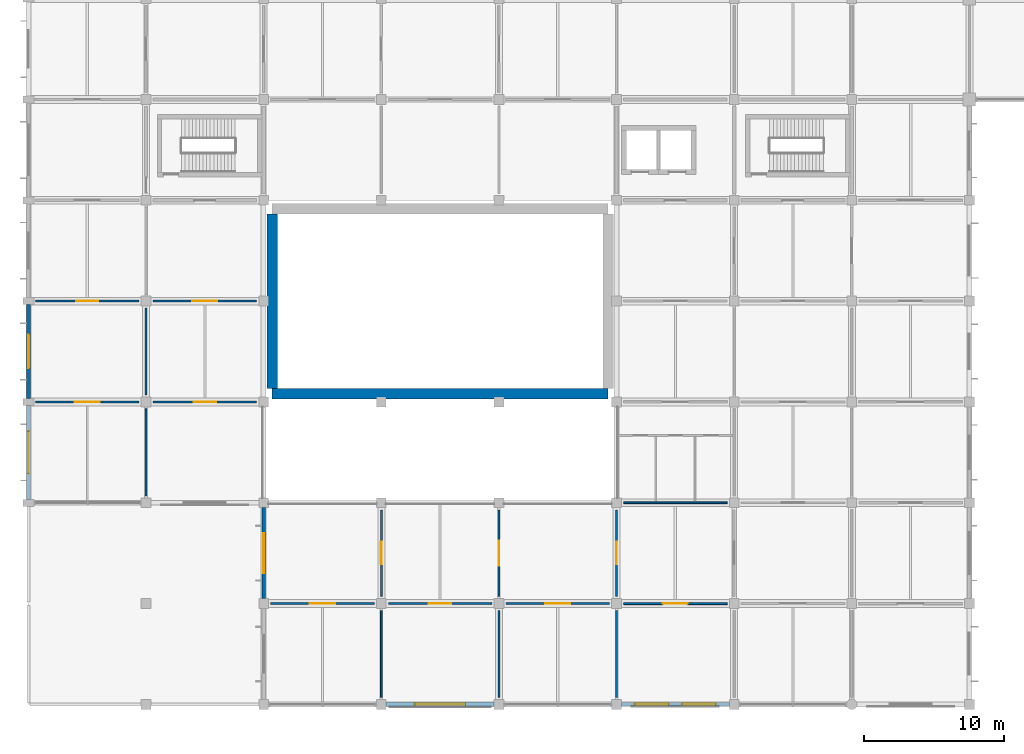
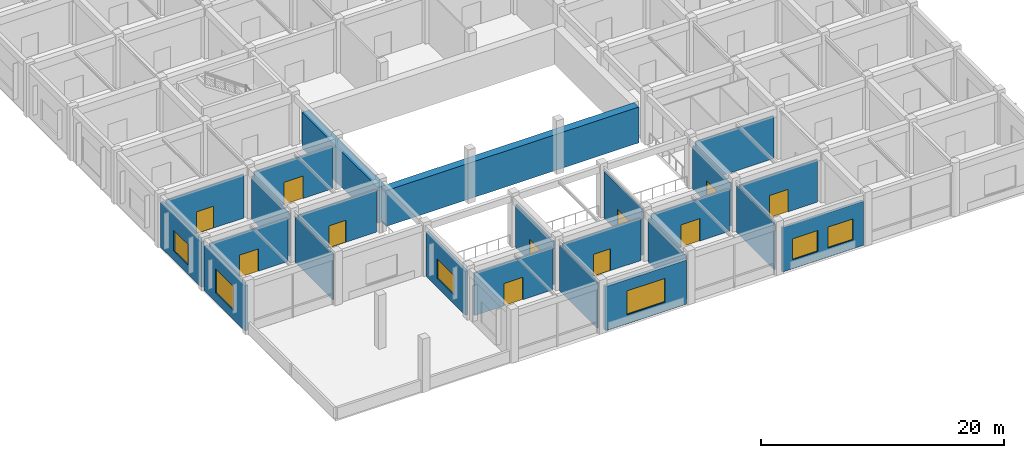
# One storey, part 18 of 41: 24 walls, 11 doors, 6 windows, 17 openings.
"""IFC4 building model written with IfcOpenShell, lengths in metres."""

from ifc_helpers import new_model, si_unit, derived_unit, direction, frame, frame_2d, origin, place, context, subcontext, project, spatial, rectangle, extrude, material, layer, layer_set, type_object, element, fill, save


model = new_model("IFC4")

# Units and contexts
model_context = context("Model", 3, precision=1e-05, world=origin(), true_north=direction((0.0, 1.0)))
body_context = subcontext(model_context, "Body", "Model", "MODEL_VIEW")
ifc_project = project(units=[si_unit("LENGTHUNIT", "METRE"), si_unit("AREAUNIT", "SQUARE_METRE"), si_unit("VOLUMEUNIT", "CUBIC_METRE"), si_unit("PLANEANGLEUNIT", "RADIAN"), si_unit("MASSUNIT", "GRAM", prefix="KILO"), derived_unit("THERMALTRANSMITTANCEUNIT", [(si_unit("MASSUNIT", "GRAM", prefix="KILO"), 1), (si_unit("TIMEUNIT", "SECOND"), -3), (si_unit("THERMODYNAMICTEMPERATUREUNIT", "KELVIN"), -1)])], contexts=[model_context])

# Site, building, storey
site_placement = place(None, origin())
site = spatial("IfcSite", under=ifc_project, at=site_placement, CompositionType="ELEMENT")
building_placement = place(site_placement, origin())
building = spatial("IfcBuilding", under=site, at=building_placement, Name="Veldstrom Oceanarium and Marine Research Institute", CompositionType="ELEMENT")
storey_placement = place(building_placement, frame((0.0, 0.0, 6.0)))
storey = spatial("IfcBuildingStorey", under=building, at=storey_placement, Name="L01", CompositionType="ELEMENT", Elevation=6.0)

# Wall, opening, window
ifc_material_1 = material(Name="Masonry Cavity Wall", Category="masonry")
ifc_layer_1 = layer(ifc_material_1, 0.31005859375)
ifc_layer_set_1 = layer_set([ifc_layer_1], Name="ARC-WAL-EW1")
wall_type_1 = type_object("IfcWallType", Name="ARC-WAL-EW1", PredefinedType="SOLIDWALL", material=ifc_layer_set_1)
wall_1_placement = place(storey_placement, frame((25.550048828125, 0.0, 0.0), z_axis=(0.0, 0.0, 1.0), x_axis=(1.0, 0.0, 0.0)))
wall_1 = element("IfcWall", 1, at=wall_1_placement, inside=storey, type_object=wall_type_1, Name="Exterior Facade Wall EW1 L01-077", PredefinedType="SOLIDWALL", context=body_context, shape_type="SweptSolid", body=[
    extrude(rectangle(XDim=7.699951171875, YDim=0.31005859375, at=frame_2d((3.85009765625, 0.0))), origin(), (0.0, 0.0, 1.0), 4.419921875),
])
opening_1_placement = place(wall_1_placement, frame((2.050048828125, 0.0, 0.89990234375)))
opening_1 = element("IfcOpeningElement", 2, at=opening_1_placement, cuts=wall_1, Name="Opening W11", PredefinedType="OPENING", context=body_context, shape_type="SweptSolid", body=[
    extrude(rectangle(XDim=3.60009765625, YDim=2.39990234375, at=frame_2d((1.800048828125, 1.199951171875))), frame((0.0, 0.1650390625, 0.0), z_axis=(0.0, -1.0, 0.0), x_axis=(1.0, 0.0, 0.0)), (0.0, 0.0, 1.0), 0.330078125),
])
ifc_material_2 = material(Name="Double Glazed Low-E IGU", Category="glass")
window_type_1 = type_object("IfcWindowType", Name="ARC-WIN-W11", PartitioningType="SINGLE_PANEL", PredefinedType="WINDOW", material=ifc_material_2)
window_1_placement = place(opening_1_placement, origin())
window_1 = element("IfcWindow", 3, at=window_1_placement, inside=storey, type_object=window_type_1, Name="Facade Window W11 L01-0047", OverallHeight=2.39990234375, OverallWidth=3.60009765625, PartitioningType="SINGLE_PANEL", PredefinedType="WINDOW", context=body_context, shape_type="SweptSolid", body=[
    extrude(rectangle(XDim=3.60009765625, YDim=2.39990234375, at=frame_2d((1.800048828125, 1.199951171875))), frame((0.0, 0.030029296875, 0.0), z_axis=(0.0, -1.0, 0.0), x_axis=(1.0, 0.0, 0.0)), (0.0, 0.0, 1.0), 0.06005859375),
])
fill(opening_1, window_1)

ifc_material_3 = material(Name="Masonry Cavity Wall", Category="masonry")
ifc_layer_2 = layer(ifc_material_3, 0.2900390625)
ifc_layer_set_2 = layer_set([ifc_layer_2], Name="ARC-WAL-EW2")
wall_type_2 = type_object("IfcWallType", Name="ARC-WAL-EW2", PredefinedType="SOLIDWALL", material=ifc_layer_set_2)
wall_2_placement = place(storey_placement, frame((0.0, 14.64990234375, 0.0), z_axis=(0.0, 0.0, 1.0), x_axis=(0.0, 1.0, 0.0)))
wall_2 = element("IfcWall", 4, at=wall_2_placement, inside=storey, type_object=wall_type_2, Name="Exterior Facade Wall EW2 L01-063", PredefinedType="SOLIDWALL", context=body_context, shape_type="SweptSolid", body=[
    extrude(rectangle(XDim=6.7001953125, YDim=0.2900390625, at=frame_2d((3.35009765625, 0.0))), origin(), (0.0, 0.0, 1.0), 4.52001953125),
])
opening_2_placement = place(wall_2_placement, frame((1.85009765625, 0.0, 0.89990234375)))
opening_2 = element("IfcOpeningElement", 5, at=opening_2_placement, cuts=wall_2, Name="Opening W12", PredefinedType="OPENING", context=body_context, shape_type="SweptSolid", body=[
    extrude(rectangle(XDim=3.0, YDim=2.39990234375, at=frame_2d((1.5, 1.199951171875))), frame((0.0, 0.155029296875, 0.0), z_axis=(0.0, -1.0, 0.0), x_axis=(1.0, 0.0, 0.0)), (0.0, 0.0, 1.0), 0.31005859375),
])
ifc_material_4 = material(Name="Double Glazed Low-E IGU", Category="glass")
window_type_2 = type_object("IfcWindowType", Name="ARC-WIN-W12", PartitioningType="SINGLE_PANEL", PredefinedType="WINDOW", material=ifc_material_4)
window_2_placement = place(opening_2_placement, origin())
window_2 = element("IfcWindow", 6, at=window_2_placement, inside=storey, type_object=window_type_2, Name="Facade Window W12 L01-0035", OverallHeight=2.39990234375, OverallWidth=3.0, PartitioningType="SINGLE_PANEL", PredefinedType="WINDOW", context=body_context, shape_type="SweptSolid", body=[
    extrude(rectangle(XDim=3.0, YDim=2.39990234375, at=frame_2d((1.5, 1.199951171875))), frame((0.0, 0.030029296875, 0.0), z_axis=(0.0, -1.0, 0.0), x_axis=(1.0, 0.0, 0.0)), (0.0, 0.0, 1.0), 0.06005859375),
])
fill(opening_2, window_2)

ifc_material_5 = material(Name="Masonry Cavity Wall", Category="masonry")
ifc_layer_3 = layer(ifc_material_5, 0.27001953125)
ifc_layer_set_3 = layer_set([ifc_layer_3], Name="ARC-WAL-EW3")
wall_type_3 = type_object("IfcWallType", Name="ARC-WAL-EW3", PredefinedType="SOLIDWALL", material=ifc_layer_set_3)
wall_3_placement = place(storey_placement, frame((0.0, 21.85009765625, 0.0), z_axis=(0.0, 0.0, 1.0), x_axis=(0.0, 1.0, 0.0)))
wall_3 = element("IfcWall", 7, at=wall_3_placement, inside=storey, type_object=wall_type_3, Name="Exterior Facade Wall EW3 L01-064", PredefinedType="SOLIDWALL", context=body_context, shape_type="SweptSolid", body=[
    extrude(rectangle(XDim=6.699951171875, YDim=0.27001953125, at=frame_2d((3.35009765625, 0.0))), origin(), (0.0, 0.0, 1.0), 4.52001953125),
])
opening_3_placement = place(wall_3_placement, frame((2.14990234375, 0.0, 0.89990234375)))
opening_3 = element("IfcOpeningElement", 8, at=opening_3_placement, cuts=wall_3, Name="Opening W09", PredefinedType="OPENING", context=body_context, shape_type="SweptSolid", body=[
    extrude(rectangle(XDim=2.39990234375, YDim=2.10009765625, at=frame_2d((1.199951171875, 1.050048828125))), frame((0.0, 0.14501953125, 0.0), z_axis=(0.0, -1.0, 0.0), x_axis=(1.0, 0.0, 0.0)), (0.0, 0.0, 1.0), 0.2900390625),
])
ifc_material_6 = material(Name="Double Glazed Low-E IGU", Category="glass")
window_type_3 = type_object("IfcWindowType", Name="ARC-WIN-W09", PartitioningType="SINGLE_PANEL", PredefinedType="WINDOW", material=ifc_material_6)
window_3_placement = place(opening_3_placement, origin())
window_3 = element("IfcWindow", 9, at=window_3_placement, inside=storey, type_object=window_type_3, Name="Facade Window W09 L01-0036", OverallHeight=2.10009765625, OverallWidth=2.39990234375, PartitioningType="SINGLE_PANEL", PredefinedType="WINDOW", context=body_context, shape_type="SweptSolid", body=[
    extrude(rectangle(XDim=2.39990234375, YDim=2.10009765625, at=frame_2d((1.199951171875, 1.050048828125))), frame((0.0, 0.030029296875, 0.0), z_axis=(0.0, -1.0, 0.0), x_axis=(1.0, 0.0, 0.0)), (0.0, 0.0, 1.0), 0.06005859375),
])
fill(opening_3, window_3)

ifc_material_7 = material(Name="Masonry Cavity Wall", Category="masonry")
ifc_layer_4 = layer(ifc_material_7, 0.25)
ifc_layer_set_4 = layer_set([ifc_layer_4], Name="ARC-WAL-EW5")
wall_type_4 = type_object("IfcWallType", Name="ARC-WAL-EW5", PredefinedType="SOLIDWALL", material=ifc_layer_set_4)
wall_4_placement = place(storey_placement, frame((16.800048828125, 7.550048828125, 0.0), z_axis=(0.0, 0.0, 1.0), x_axis=(0.0, 1.0, 0.0)))
wall_4 = element("IfcWall", 10, at=wall_4_placement, inside=storey, type_object=wall_type_4, Name="Exterior Facade Wall EW5 L01-075", PredefinedType="SOLIDWALL", context=body_context, shape_type="SweptSolid", body=[
    extrude(rectangle(XDim=6.5, YDim=0.25, at=frame_2d((3.25, 0.0))), origin(), (0.0, 0.0, 1.0), 4.419921875),
])
opening_4_placement = place(wall_4_placement, frame((1.824951171875, 0.0, 0.89990234375)))
opening_4 = element("IfcOpeningElement", 11, at=opening_4_placement, cuts=wall_4, Name="Opening W19", PredefinedType="OPENING", context=body_context, shape_type="SweptSolid", body=[
    extrude(rectangle(XDim=2.85009765625, YDim=1.949951171875, at=frame_2d((1.425048828125, 0.97509765625))), frame((0.0, 0.135009765625, 0.0), z_axis=(0.0, -1.0, 0.0), x_axis=(1.0, 0.0, 0.0)), (0.0, 0.0, 1.0), 0.27001953125),
])
ifc_material_8 = material(Name="Double Glazed Low-E IGU", Category="glass")
window_type_4 = type_object("IfcWindowType", Name="ARC-WIN-W19", PartitioningType="SINGLE_PANEL", PredefinedType="WINDOW", material=ifc_material_8)
window_4_placement = place(opening_4_placement, origin())
window_4 = element("IfcWindow", 12, at=window_4_placement, inside=storey, type_object=window_type_4, Name="Facade Window W19 L01-0046", OverallHeight=1.949951171875, OverallWidth=2.85009765625, PartitioningType="SINGLE_PANEL", PredefinedType="WINDOW", context=body_context, shape_type="SweptSolid", body=[
    extrude(rectangle(XDim=2.85009765625, YDim=1.949951171875, at=frame_2d((1.425048828125, 0.97509765625))), frame((0.0, 0.030029296875, 0.0), z_axis=(0.0, -1.0, 0.0), x_axis=(1.0, 0.0, 0.0)), (0.0, 0.0, 1.0), 0.06005859375),
])
fill(opening_4, window_4)

# Wall, openings, windows
wall_5_placement = place(storey_placement, frame((42.35009765625, 0.0, 0.0), z_axis=(0.0, 0.0, 1.0), x_axis=(1.0, 0.0, 0.0)))
wall_5 = element("IfcWall", 13, at=wall_5_placement, inside=storey, type_object=wall_type_4, Name="Exterior Facade Wall EW5 L01-080", PredefinedType="SOLIDWALL", context=body_context, shape_type="SweptSolid", body=[
    extrude(rectangle(XDim=7.699951171875, YDim=0.25, at=frame_2d((3.85009765625, 0.0))), origin(), (0.0, 0.0, 1.0), 4.419921875),
])
opening_5_placement = place(wall_5_placement, frame((0.966796875, 0.0, 0.89990234375)))
opening_5 = element("IfcOpeningElement", 14, at=opening_5_placement, cuts=wall_5, Name="Opening W09", PredefinedType="OPENING", context=body_context, shape_type="SweptSolid", body=[
    extrude(rectangle(XDim=2.39990234375, YDim=2.10009765625, at=frame_2d((1.199951171875, 1.050048828125))), frame((0.0, 0.135009765625, 0.0), z_axis=(0.0, -1.0, 0.0), x_axis=(1.0, 0.0, 0.0)), (0.0, 0.0, 1.0), 0.27001953125),
])
opening_6_placement = place(wall_5_placement, frame((4.333251953125, 0.0, 0.89990234375)))
opening_6 = element("IfcOpeningElement", 15, at=opening_6_placement, cuts=wall_5, Name="Opening W09", PredefinedType="OPENING", context=body_context, shape_type="SweptSolid", body=[
    extrude(rectangle(XDim=2.39990234375, YDim=2.10009765625, at=frame_2d((1.199951171875, 1.050048828125))), frame((0.0, 0.135009765625, 0.0), z_axis=(0.0, -1.0, 0.0), x_axis=(1.0, 0.0, 0.0)), (0.0, 0.0, 1.0), 0.27001953125),
])
window_5_placement = place(opening_5_placement, origin())
window_5 = element("IfcWindow", 16, at=window_5_placement, inside=storey, type_object=window_type_3, Name="Facade Window W09 L01-0048", OverallHeight=2.10009765625, OverallWidth=2.39990234375, PartitioningType="SINGLE_PANEL", PredefinedType="WINDOW", context=body_context, shape_type="SweptSolid", body=[
    extrude(rectangle(XDim=2.39990234375, YDim=2.10009765625, at=frame_2d((1.199951171875, 1.050048828125))), frame((0.0, 0.030029296875, 0.0), z_axis=(0.0, -1.0, 0.0), x_axis=(1.0, 0.0, 0.0)), (0.0, 0.0, 1.0), 0.06005859375),
])
fill(opening_5, window_5)
window_6_placement = place(opening_6_placement, origin())
window_6 = element("IfcWindow", 17, at=window_6_placement, inside=storey, type_object=window_type_3, Name="Facade Window W09 L01-0049", OverallHeight=2.10009765625, OverallWidth=2.39990234375, PartitioningType="SINGLE_PANEL", PredefinedType="WINDOW", context=body_context, shape_type="SweptSolid", body=[
    extrude(rectangle(XDim=2.39990234375, YDim=2.10009765625, at=frame_2d((1.199951171875, 1.050048828125))), frame((0.0, 0.030029296875, 0.0), z_axis=(0.0, -1.0, 0.0), x_axis=(1.0, 0.0, 0.0)), (0.0, 0.0, 1.0), 0.06005859375),
])
fill(opening_6, window_6)

# Wall, opening, door
ifc_material_9 = material(Name="Drywall Corridor Partition", Category="gypsum")
ifc_layer_5 = layer(ifc_material_9, 0.155029296875)
ifc_layer_set_5 = layer_set([ifc_layer_5], Name="ARC-WAL-PT4")
wall_type_5 = type_object("IfcWallType", Name="ARC-WAL-PT4", PredefinedType="PARTITIONING", material=ifc_layer_set_5)
wall_6_placement = place(storey_placement, frame((0.5, 21.60009765625, 0.0), z_axis=(0.0, 0.0, 1.0), x_axis=(1.0, 0.0, 0.0)))
wall_6 = element("IfcWall", 18, at=wall_6_placement, inside=storey, type_object=wall_type_5, Name="Interior Partition PT4 L01-0830", PredefinedType="PARTITIONING", context=body_context, shape_type="SweptSolid", body=[
    extrude(rectangle(XDim=7.39990234375, YDim=0.155029296875, at=frame_2d((3.699951171875, 0.0))), origin(), (0.0, 0.0, 1.0), 4.3701171875),
])
opening_7_placement = place(wall_6_placement, frame((2.800048828125, 0.0, 0.0)))
opening_7 = element("IfcOpeningElement", 19, at=opening_7_placement, cuts=wall_6, Name="Opening D-L01-480", PredefinedType="OPENING", context=body_context, shape_type="SweptSolid", body=[
    extrude(rectangle(XDim=1.800048828125, YDim=2.25, at=frame_2d((0.89990234375, 1.125))), frame((0.0, 0.08740234375, 0.0), z_axis=(0.0, -1.0, 0.0), x_axis=(1.0, 0.0, 0.0)), (0.0, 0.0, 1.0), 0.175048828125),
])
ifc_material_10 = material(Name="Acoustic Timber Gallery Door", Category="wood")
door_type_1 = type_object("IfcDoorType", Name="ARC-DOR-ID01", OperationType="DOUBLE_DOOR_SINGLE_SWING", PredefinedType="DOOR", material=ifc_material_10)
door_1_placement = place(opening_7_placement, frame((1.800048828125, 0.0, 0.0), z_axis=(0.0, 0.0, 1.0), x_axis=(-1.0, 0.0, 0.0)))
door_1 = element("IfcDoor", 20, at=door_1_placement, inside=storey, type_object=door_type_1, Name="Interior Door D-L01-480", OperationType="DOUBLE_DOOR_SINGLE_SWING", OverallHeight=2.25, OverallWidth=1.800048828125, PredefinedType="DOOR", context=body_context, shape_type="SweptSolid", body=[
    extrude(rectangle(XDim=1.800048828125, YDim=2.25, at=frame_2d((0.89990234375, 1.125))), frame((0.0, 0.02490234375, 0.0), z_axis=(0.0, -1.0, 0.0), x_axis=(1.0, 0.0, 0.0)), (0.0, 0.0, 1.0), 0.050048828125),
])
fill(opening_7, door_1)

wall_7_placement = place(storey_placement, frame((8.89990234375, 28.800048828125, 0.0), z_axis=(0.0, 0.0, 1.0), x_axis=(1.0, 0.0, 0.0)))
wall_7 = element("IfcWall", 21, at=wall_7_placement, inside=storey, type_object=wall_type_5, Name="Interior Partition PT4 L01-0845", PredefinedType="PARTITIONING", context=body_context, shape_type="SweptSolid", body=[
    extrude(rectangle(XDim=7.400146484375, YDim=0.155029296875, at=frame_2d((3.7001953125, 0.0))), origin(), (0.0, 0.0, 1.0), 4.27001953125),
])
opening_8_placement = place(wall_7_placement, frame((2.800048828125, 0.0, 0.0)))
opening_8 = element("IfcOpeningElement", 22, at=opening_8_placement, cuts=wall_7, Name="Opening D-L01-490", PredefinedType="OPENING", context=body_context, shape_type="SweptSolid", body=[
    extrude(rectangle(XDim=1.800048828125, YDim=2.25, at=frame_2d((0.89990234375, 1.125))), frame((0.0, 0.08740234375, 0.0), z_axis=(0.0, -1.0, 0.0), x_axis=(1.0, 0.0, 0.0)), (0.0, 0.0, 1.0), 0.175048828125),
])
door_2_placement = place(opening_8_placement, frame((1.800048828125, 0.0, 0.0), z_axis=(0.0, 0.0, 1.0), x_axis=(-1.0, 0.0, 0.0)))
door_2 = element("IfcDoor", 23, at=door_2_placement, inside=storey, type_object=door_type_1, Name="Interior Door D-L01-490", OperationType="DOUBLE_DOOR_SINGLE_SWING", OverallHeight=2.25, OverallWidth=1.800048828125, PredefinedType="DOOR", context=body_context, shape_type="SweptSolid", body=[
    extrude(rectangle(XDim=1.800048828125, YDim=2.25, at=frame_2d((0.89990234375, 1.125))), frame((0.0, 0.02490234375, 0.0), z_axis=(0.0, -1.0, 0.0), x_axis=(1.0, 0.0, 0.0)), (0.0, 0.0, 1.0), 0.050048828125),
])
fill(opening_8, door_2)

wall_8_placement = place(storey_placement, frame((17.300048828125, 7.199951171875, 0.0), z_axis=(0.0, 0.0, 1.0), x_axis=(1.0, 0.0, 0.0)))
wall_8 = element("IfcWall", 24, at=wall_8_placement, inside=storey, type_object=wall_type_5, Name="Interior Partition PT4 L01-0857", PredefinedType="PARTITIONING", context=body_context, shape_type="SweptSolid", body=[
    extrude(rectangle(XDim=7.39990234375, YDim=0.155029296875, at=frame_2d((3.699951171875, 0.0))), origin(), (0.0, 0.0, 1.0), 4.27001953125),
])
opening_9_placement = place(wall_8_placement, frame((2.800048828125, 0.0, 0.0)))
opening_9 = element("IfcOpeningElement", 25, at=opening_9_placement, cuts=wall_8, Name="Opening D-L01-496", PredefinedType="OPENING", context=body_context, shape_type="SweptSolid", body=[
    extrude(rectangle(XDim=1.800048828125, YDim=2.25, at=frame_2d((0.89990234375, 1.125))), frame((0.0, 0.08740234375, 0.0), z_axis=(0.0, -1.0, 0.0), x_axis=(1.0, 0.0, 0.0)), (0.0, 0.0, 1.0), 0.175048828125),
])
door_3_placement = place(opening_9_placement, frame((1.800048828125, 0.0, 0.0), z_axis=(0.0, 0.0, 1.0), x_axis=(-1.0, 0.0, 0.0)))
door_3 = element("IfcDoor", 26, at=door_3_placement, inside=storey, type_object=door_type_1, Name="Interior Door D-L01-496", OperationType="DOUBLE_DOOR_SINGLE_SWING", OverallHeight=2.25, OverallWidth=1.800048828125, PredefinedType="DOOR", context=body_context, shape_type="SweptSolid", body=[
    extrude(rectangle(XDim=1.800048828125, YDim=2.25, at=frame_2d((0.89990234375, 1.125))), frame((0.0, 0.02490234375, 0.0), z_axis=(0.0, -1.0, 0.0), x_axis=(1.0, 0.0, 0.0)), (0.0, 0.0, 1.0), 0.050048828125),
])
fill(opening_9, door_3)

wall_9_placement = place(storey_placement, frame((33.60009765625, 7.699951171875, 0.0), z_axis=(0.0, 0.0, 1.0), x_axis=(0.0, 1.0, 0.0)))
wall_9 = element("IfcWall", 27, at=wall_9_placement, inside=storey, type_object=wall_type_5, Name="Interior Partition PT4 L01-0870", PredefinedType="PARTITIONING", context=body_context, shape_type="SweptSolid", body=[
    extrude(rectangle(XDim=6.199951171875, YDim=0.155029296875, at=frame_2d((3.10009765625, 0.0))), origin(), (0.0, 0.0, 1.0), 4.669921875),
])
opening_10_placement = place(wall_9_placement, frame((2.199951171875, 0.0, 0.0)))
opening_10 = element("IfcOpeningElement", 28, at=opening_10_placement, cuts=wall_9, Name="Opening D-L01-504", PredefinedType="OPENING", context=body_context, shape_type="SweptSolid", body=[
    extrude(rectangle(XDim=1.800048828125, YDim=2.25, at=frame_2d((0.89990234375, 1.125))), frame((0.0, 0.08740234375, 0.0), z_axis=(0.0, -1.0, 0.0), x_axis=(1.0, 0.0, 0.0)), (0.0, 0.0, 1.0), 0.175048828125),
])
door_4_placement = place(opening_10_placement, origin())
door_4 = element("IfcDoor", 29, at=door_4_placement, inside=storey, type_object=door_type_1, Name="Interior Door D-L01-504", OperationType="DOUBLE_DOOR_SINGLE_SWING", OverallHeight=2.25, OverallWidth=1.800048828125, PredefinedType="DOOR", context=body_context, shape_type="SweptSolid", body=[
    extrude(rectangle(XDim=1.800048828125, YDim=2.25, at=frame_2d((0.89990234375, 1.125))), frame((0.0, 0.02490234375, 0.0), z_axis=(0.0, -1.0, 0.0), x_axis=(1.0, 0.0, 0.0)), (0.0, 0.0, 1.0), 0.050048828125),
])
fill(opening_10, door_4)

wall_10_placement = place(storey_placement, frame((34.10009765625, 7.199951171875, 0.0), z_axis=(0.0, 0.0, 1.0), x_axis=(1.0, 0.0, 0.0)))
wall_10 = element("IfcWall", 30, at=wall_10_placement, inside=storey, type_object=wall_type_5, Name="Interior Partition PT4 L01-0881", PredefinedType="PARTITIONING", context=body_context, shape_type="SweptSolid", body=[
    extrude(rectangle(XDim=7.39990234375, YDim=0.155029296875, at=frame_2d((3.699951171875, 0.0))), origin(), (0.0, 0.0, 1.0), 4.27001953125),
])
opening_11_placement = place(wall_10_placement, frame((2.800048828125, 0.0, 0.0)))
opening_11 = element("IfcOpeningElement", 31, at=opening_11_placement, cuts=wall_10, Name="Opening D-L01-510", PredefinedType="OPENING", context=body_context, shape_type="SweptSolid", body=[
    extrude(rectangle(XDim=1.800048828125, YDim=2.25, at=frame_2d((0.89990234375, 1.125))), frame((0.0, 0.08740234375, 0.0), z_axis=(0.0, -1.0, 0.0), x_axis=(1.0, 0.0, 0.0)), (0.0, 0.0, 1.0), 0.175048828125),
])
door_5_placement = place(opening_11_placement, frame((1.800048828125, 0.0, 0.0), z_axis=(0.0, 0.0, 1.0), x_axis=(-1.0, 0.0, 0.0)))
door_5 = element("IfcDoor", 32, at=door_5_placement, inside=storey, type_object=door_type_1, Name="Interior Door D-L01-510", OperationType="DOUBLE_DOOR_SINGLE_SWING", OverallHeight=2.25, OverallWidth=1.800048828125, PredefinedType="DOOR", context=body_context, shape_type="SweptSolid", body=[
    extrude(rectangle(XDim=1.800048828125, YDim=2.25, at=frame_2d((0.89990234375, 1.125))), frame((0.0, 0.02490234375, 0.0), z_axis=(0.0, -1.0, 0.0), x_axis=(1.0, 0.0, 0.0)), (0.0, 0.0, 1.0), 0.050048828125),
])
fill(opening_11, door_5)

ifc_material_11 = material(Name="Moisture-Resistant Wet-Area Partition", Category="masonry")
ifc_layer_6 = layer(ifc_material_11, 0.139892578125)
ifc_layer_set_6 = layer_set([ifc_layer_6], Name="ARC-WAL-PT5")
wall_type_6 = type_object("IfcWallType", Name="ARC-WAL-PT5", PredefinedType="PARTITIONING", material=ifc_layer_set_6)
wall_11_placement = place(storey_placement, frame((0.5, 28.800048828125, 0.0), z_axis=(0.0, 0.0, 1.0), x_axis=(1.0, 0.0, 0.0)))
wall_11 = element("IfcWall", 33, at=wall_11_placement, inside=storey, type_object=wall_type_6, Name="Interior Partition PT5 L01-0832", PredefinedType="PARTITIONING", context=body_context, shape_type="SweptSolid", body=[
    extrude(rectangle(XDim=7.39990234375, YDim=0.139892578125, at=frame_2d((3.699951171875, 0.0))), origin(), (0.0, 0.0, 1.0), 4.3701171875),
])
opening_12_placement = place(wall_11_placement, frame((2.89990234375, 0.0, 0.0)))
opening_12 = element("IfcOpeningElement", 34, at=opening_12_placement, cuts=wall_11, Name="Opening D-L01-481", PredefinedType="OPENING", context=body_context, shape_type="SweptSolid", body=[
    extrude(rectangle(XDim=1.60009765625, YDim=2.199951171875, at=frame_2d((0.800048828125, 1.10009765625))), frame((0.0, 0.079833984375, 0.0), z_axis=(0.0, -1.0, 0.0), x_axis=(1.0, 0.0, 0.0)), (0.0, 0.0, 1.0), 0.159912109375),
])
ifc_material_12 = material(Name="Acoustic Timber Corridor Door", Category="wood")
door_type_2 = type_object("IfcDoorType", Name="ARC-DOR-ID02", OperationType="DOUBLE_DOOR_SINGLE_SWING", PredefinedType="DOOR", material=ifc_material_12)
door_6_placement = place(opening_12_placement, origin())
door_6 = element("IfcDoor", 35, at=door_6_placement, inside=storey, type_object=door_type_2, Name="Interior Door D-L01-481", OperationType="DOUBLE_DOOR_SINGLE_SWING", OverallHeight=2.199951171875, OverallWidth=1.60009765625, PredefinedType="DOOR", context=body_context, shape_type="SweptSolid", body=[
    extrude(rectangle(XDim=1.60009765625, YDim=2.199951171875, at=frame_2d((0.800048828125, 1.10009765625))), frame((0.0, 0.02490234375, 0.0), z_axis=(0.0, -1.0, 0.0), x_axis=(1.0, 0.0, 0.0)), (0.0, 0.0, 1.0), 0.050048828125),
])
fill(opening_12, door_6)

wall_12_placement = place(storey_placement, frame((8.89990234375, 21.60009765625, 0.0), z_axis=(0.0, 0.0, 1.0), x_axis=(1.0, 0.0, 0.0)))
wall_12 = element("IfcWall", 36, at=wall_12_placement, inside=storey, type_object=wall_type_6, Name="Interior Partition PT5 L01-0844", PredefinedType="PARTITIONING", context=body_context, shape_type="SweptSolid", body=[
    extrude(rectangle(XDim=7.400146484375, YDim=0.139892578125, at=frame_2d((3.7001953125, 0.0))), origin(), (0.0, 0.0, 1.0), 4.27001953125),
])
opening_13_placement = place(wall_12_placement, frame((2.89990234375, 0.0, 0.0)))
opening_13 = element("IfcOpeningElement", 37, at=opening_13_placement, cuts=wall_12, Name="Opening D-L01-489", PredefinedType="OPENING", context=body_context, shape_type="SweptSolid", body=[
    extrude(rectangle(XDim=1.60009765625, YDim=2.199951171875, at=frame_2d((0.800048828125, 1.10009765625))), frame((0.0, 0.079833984375, 0.0), z_axis=(0.0, -1.0, 0.0), x_axis=(1.0, 0.0, 0.0)), (0.0, 0.0, 1.0), 0.159912109375),
])
door_7_placement = place(opening_13_placement, origin())
door_7 = element("IfcDoor", 38, at=door_7_placement, inside=storey, type_object=door_type_2, Name="Interior Door D-L01-489", OperationType="DOUBLE_DOOR_SINGLE_SWING", OverallHeight=2.199951171875, OverallWidth=1.60009765625, PredefinedType="DOOR", context=body_context, shape_type="SweptSolid", body=[
    extrude(rectangle(XDim=1.60009765625, YDim=2.199951171875, at=frame_2d((0.800048828125, 1.10009765625))), frame((0.0, 0.02490234375, 0.0), z_axis=(0.0, -1.0, 0.0), x_axis=(1.0, 0.0, 0.0)), (0.0, 0.0, 1.0), 0.050048828125),
])
fill(opening_13, door_7)

wall_13_placement = place(storey_placement, frame((25.199951171875, 7.699951171875, 0.0), z_axis=(0.0, 0.0, 1.0), x_axis=(0.0, 1.0, 0.0)))
wall_13 = element("IfcWall", 39, at=wall_13_placement, inside=storey, type_object=wall_type_6, Name="Interior Partition PT5 L01-0858", PredefinedType="PARTITIONING", context=body_context, shape_type="SweptSolid", body=[
    extrude(rectangle(XDim=6.199951171875, YDim=0.139892578125, at=frame_2d((3.10009765625, 0.0))), origin(), (0.0, 0.0, 1.0), 4.320068359375),
])
opening_14_placement = place(wall_13_placement, frame((2.300048828125, 0.0, 0.0)))
opening_14 = element("IfcOpeningElement", 40, at=opening_14_placement, cuts=wall_13, Name="Opening D-L01-497", PredefinedType="OPENING", context=body_context, shape_type="SweptSolid", body=[
    extrude(rectangle(XDim=1.60009765625, YDim=2.199951171875, at=frame_2d((0.800048828125, 1.10009765625))), frame((0.0, 0.079833984375, 0.0), z_axis=(0.0, -1.0, 0.0), x_axis=(1.0, 0.0, 0.0)), (0.0, 0.0, 1.0), 0.159912109375),
])
door_8_placement = place(opening_14_placement, frame((1.60009765625, 0.0, 0.0), z_axis=(0.0, 0.0, 1.0), x_axis=(-1.0, 0.0, 0.0)))
door_8 = element("IfcDoor", 41, at=door_8_placement, inside=storey, type_object=door_type_2, Name="Interior Door D-L01-497", OperationType="DOUBLE_DOOR_SINGLE_SWING", OverallHeight=2.199951171875, OverallWidth=1.60009765625, PredefinedType="DOOR", context=body_context, shape_type="SweptSolid", body=[
    extrude(rectangle(XDim=1.60009765625, YDim=2.199951171875, at=frame_2d((0.800048828125, 1.10009765625))), frame((0.0, 0.02490234375, 0.0), z_axis=(0.0, -1.0, 0.0), x_axis=(1.0, 0.0, 0.0)), (0.0, 0.0, 1.0), 0.050048828125),
])
fill(opening_14, door_8)

wall_14_placement = place(storey_placement, frame((25.699951171875, 7.199951171875, 0.0), z_axis=(0.0, 0.0, 1.0), x_axis=(1.0, 0.0, 0.0)))
wall_14 = element("IfcWall", 42, at=wall_14_placement, inside=storey, type_object=wall_type_6, Name="Interior Partition PT5 L01-0869", PredefinedType="PARTITIONING", context=body_context, shape_type="SweptSolid", body=[
    extrude(rectangle(XDim=7.400146484375, YDim=0.139892578125, at=frame_2d((3.7001953125, 0.0))), origin(), (0.0, 0.0, 1.0), 4.27001953125),
])
opening_15_placement = place(wall_14_placement, frame((2.89990234375, 0.0, 0.0)))
opening_15 = element("IfcOpeningElement", 43, at=opening_15_placement, cuts=wall_14, Name="Opening D-L01-503", PredefinedType="OPENING", context=body_context, shape_type="SweptSolid", body=[
    extrude(rectangle(XDim=1.60009765625, YDim=2.199951171875, at=frame_2d((0.800048828125, 1.10009765625))), frame((0.0, 0.079833984375, 0.0), z_axis=(0.0, -1.0, 0.0), x_axis=(1.0, 0.0, 0.0)), (0.0, 0.0, 1.0), 0.159912109375),
])
door_9_placement = place(opening_15_placement, origin())
door_9 = element("IfcDoor", 44, at=door_9_placement, inside=storey, type_object=door_type_2, Name="Interior Door D-L01-503", OperationType="DOUBLE_DOOR_SINGLE_SWING", OverallHeight=2.199951171875, OverallWidth=1.60009765625, PredefinedType="DOOR", context=body_context, shape_type="SweptSolid", body=[
    extrude(rectangle(XDim=1.60009765625, YDim=2.199951171875, at=frame_2d((0.800048828125, 1.10009765625))), frame((0.0, 0.02490234375, 0.0), z_axis=(0.0, -1.0, 0.0), x_axis=(1.0, 0.0, 0.0)), (0.0, 0.0, 1.0), 0.050048828125),
])
fill(opening_15, door_9)

wall_15_placement = place(storey_placement, frame((42.0, 7.699951171875, 0.0), z_axis=(0.0, 0.0, 1.0), x_axis=(0.0, 1.0, 0.0)))
wall_15 = element("IfcWall", 45, at=wall_15_placement, inside=storey, type_object=wall_type_6, Name="Interior Partition PT5 L01-0882", PredefinedType="PARTITIONING", context=body_context, shape_type="SweptSolid", body=[
    extrude(rectangle(XDim=6.199951171875, YDim=0.139892578125, at=frame_2d((3.10009765625, 0.0))), origin(), (0.0, 0.0, 1.0), 4.320068359375),
])
opening_16_placement = place(wall_15_placement, frame((2.300048828125, 0.0, 0.0)))
opening_16 = element("IfcOpeningElement", 46, at=opening_16_placement, cuts=wall_15, Name="Opening D-L01-511", PredefinedType="OPENING", context=body_context, shape_type="SweptSolid", body=[
    extrude(rectangle(XDim=1.60009765625, YDim=2.199951171875, at=frame_2d((0.800048828125, 1.10009765625))), frame((0.0, 0.079833984375, 0.0), z_axis=(0.0, -1.0, 0.0), x_axis=(1.0, 0.0, 0.0)), (0.0, 0.0, 1.0), 0.159912109375),
])
door_10_placement = place(opening_16_placement, frame((1.60009765625, 0.0, 0.0), z_axis=(0.0, 0.0, 1.0), x_axis=(-1.0, 0.0, 0.0)))
door_10 = element("IfcDoor", 47, at=door_10_placement, inside=storey, type_object=door_type_2, Name="Interior Door D-L01-511", OperationType="DOUBLE_DOOR_SINGLE_SWING", OverallHeight=2.199951171875, OverallWidth=1.60009765625, PredefinedType="DOOR", context=body_context, shape_type="SweptSolid", body=[
    extrude(rectangle(XDim=1.60009765625, YDim=2.199951171875, at=frame_2d((0.800048828125, 1.10009765625))), frame((0.0, 0.02490234375, 0.0), z_axis=(0.0, -1.0, 0.0), x_axis=(1.0, 0.0, 0.0)), (0.0, 0.0, 1.0), 0.050048828125),
])
fill(opening_16, door_10)

wall_16_placement = place(storey_placement, frame((42.5, 7.199951171875, 0.0), z_axis=(0.0, 0.0, 1.0), x_axis=(1.0, 0.0, 0.0)))
wall_16 = element("IfcWall", 48, at=wall_16_placement, inside=storey, type_object=wall_type_6, Name="Interior Partition PT5 L01-0893", PredefinedType="PARTITIONING", context=body_context, shape_type="SweptSolid", body=[
    extrude(rectangle(XDim=7.39990234375, YDim=0.139892578125, at=frame_2d((3.699951171875, 0.0))), origin(), (0.0, 0.0, 1.0), 4.27001953125),
])
opening_17_placement = place(wall_16_placement, frame((2.800048828125, 0.0, 0.0)))
opening_17 = element("IfcOpeningElement", 49, at=opening_17_placement, cuts=wall_16, Name="Opening D-L01-516", PredefinedType="OPENING", context=body_context, shape_type="SweptSolid", body=[
    extrude(rectangle(XDim=1.800048828125, YDim=2.25, at=frame_2d((0.89990234375, 1.125))), frame((0.0, 0.079833984375, 0.0), z_axis=(0.0, -1.0, 0.0), x_axis=(1.0, 0.0, 0.0)), (0.0, 0.0, 1.0), 0.159912109375),
])
door_11_placement = place(opening_17_placement, origin())
door_11 = element("IfcDoor", 50, at=door_11_placement, inside=storey, type_object=door_type_1, Name="Interior Door D-L01-516", OperationType="DOUBLE_DOOR_SINGLE_SWING", OverallHeight=2.25, OverallWidth=1.800048828125, PredefinedType="DOOR", context=body_context, shape_type="SweptSolid", body=[
    extrude(rectangle(XDim=1.800048828125, YDim=2.25, at=frame_2d((0.89990234375, 1.125))), frame((0.0, 0.02490234375, 0.0), z_axis=(0.0, -1.0, 0.0), x_axis=(1.0, 0.0, 0.0)), (0.0, 0.0, 1.0), 0.050048828125),
])
fill(opening_17, door_11)

# Walls
ifc_material_13 = material(Name="Lightweight Studio Partition", Category="gypsum")
ifc_layer_7 = layer(ifc_material_13, 0.1201171875)
ifc_layer_set_7 = layer_set([ifc_layer_7], Name="ARC-WAL-PT6")
wall_type_7 = type_object("IfcWallType", Name="ARC-WAL-PT6", PredefinedType="PARTITIONING", material=ifc_layer_set_7)
wall_17_placement = place(storey_placement, frame((8.39990234375, 14.89990234375, 0.0), z_axis=(0.0, 0.0, 1.0), x_axis=(0.0, 1.0, 0.0)))
element("IfcWall", 51, at=wall_17_placement, inside=storey, type_object=wall_type_7, Name="Interior Partition PT6 L01-0829", PredefinedType="PARTITIONING", context=body_context, shape_type="SweptSolid", body=[
    extrude(rectangle(XDim=6.2001953125, YDim=0.1201171875, at=frame_2d((3.10009765625, 0.0))), origin(), (0.0, 0.0, 1.0), 4.570068359375),
])
wall_18_placement = place(storey_placement, frame((8.39990234375, 22.10009765625, 0.0), z_axis=(0.0, 0.0, 1.0), x_axis=(0.0, 1.0, 0.0)))
element("IfcWall", 52, at=wall_18_placement, inside=storey, type_object=wall_type_7, Name="Interior Partition PT6 L01-0831", PredefinedType="PARTITIONING", context=body_context, shape_type="SweptSolid", body=[
    extrude(rectangle(XDim=6.199951171875, YDim=0.1201171875, at=frame_2d((3.10009765625, 0.0))), origin(), (0.0, 0.0, 1.0), 4.320068359375),
])
wall_19_placement = place(storey_placement, frame((25.199951171875, 0.5, 0.0), z_axis=(0.0, 0.0, 1.0), x_axis=(0.0, 1.0, 0.0)))
element("IfcWall", 53, at=wall_19_placement, inside=storey, type_object=wall_type_7, Name="Interior Partition PT6 L01-0856", PredefinedType="PARTITIONING", context=body_context, shape_type="SweptSolid", body=[
    extrude(rectangle(XDim=6.199951171875, YDim=0.1201171875, at=frame_2d((3.10009765625, 0.0))), origin(), (0.0, 0.0, 1.0), 4.570068359375),
])
wall_20_placement = place(storey_placement, frame((33.60009765625, 0.5, 0.0), z_axis=(0.0, 0.0, 1.0), x_axis=(0.0, 1.0, 0.0)))
element("IfcWall", 54, at=wall_20_placement, inside=storey, type_object=wall_type_7, Name="Interior Partition PT6 L01-0868", PredefinedType="PARTITIONING", context=body_context, shape_type="SweptSolid", body=[
    extrude(rectangle(XDim=6.199951171875, YDim=0.1201171875, at=frame_2d((3.10009765625, 0.0))), origin(), (0.0, 0.0, 1.0), 4.320068359375),
])
wall_21_placement = place(storey_placement, frame((42.0, 0.5, 0.0), z_axis=(0.0, 0.0, 1.0), x_axis=(0.0, 1.0, 0.0)))
element("IfcWall", 55, at=wall_21_placement, inside=storey, type_object=wall_type_7, Name="Interior Partition PT6 L01-0880", PredefinedType="PARTITIONING", context=body_context, shape_type="SweptSolid", body=[
    extrude(rectangle(XDim=6.199951171875, YDim=0.1201171875, at=frame_2d((3.10009765625, 0.0))), origin(), (0.0, 0.0, 1.0), 4.669921875),
])
wall_22_placement = place(storey_placement, frame((42.5, 14.39990234375, 0.0), z_axis=(0.0, 0.0, 1.0), x_axis=(1.0, 0.0, 0.0)))
element("IfcWall", 56, at=wall_22_placement, inside=storey, type_object=wall_type_7, Name="Interior Partition PT6 L01-0895", PredefinedType="PARTITIONING", context=body_context, shape_type="SweptSolid", body=[
    extrude(rectangle(XDim=7.39990234375, YDim=0.1201171875, at=frame_2d((3.699951171875, 0.0))), origin(), (0.0, 0.0, 1.0), 4.27001953125),
])
ifc_material_14 = material(Name="Concrete C40/50", Category="concrete")
ifc_layer_8 = layer(ifc_material_14, 0.75)
ifc_layer_set_8 = layer_set([ifc_layer_8], Name="STR-WAL-WT2")
wall_type_8 = type_object("IfcWallType", Name="STR-WAL-WT2", PredefinedType="SOLIDWALL", material=ifc_layer_set_8)
wall_23_placement = place(storey_placement, frame((17.39990234375, 22.199951171875, 0.0), z_axis=(0.0, 0.0, 1.0), x_axis=(1.0, 0.0, 0.0)))
element("IfcWall", 57, at=wall_23_placement, inside=storey, type_object=wall_type_8, Name="Ocean Tank Waterproof RC Wall L01-S", PredefinedType="SOLIDWALL", context=body_context, shape_type="SweptSolid", body=[
    extrude(rectangle(XDim=24.0, YDim=0.75, at=frame_2d((12.0, 0.0))), origin(), (0.0, 0.0, 1.0), 3.60009765625),
])
wall_24_placement = place(storey_placement, frame((17.39990234375, 22.574951171875, 0.0), z_axis=(0.0, 0.0, 1.0), x_axis=(0.0, 1.0, 0.0)))
element("IfcWall", 58, at=wall_24_placement, inside=storey, type_object=wall_type_8, Name="Ocean Tank Waterproof RC Wall L01-W", PredefinedType="SOLIDWALL", context=body_context, shape_type="SweptSolid", body=[
    extrude(rectangle(XDim=12.449951171875, YDim=0.75, at=frame_2d((6.22509765625, 0.0))), origin(), (0.0, 0.0, 1.0), 3.60009765625),
])

save(model, "model.ifc")
